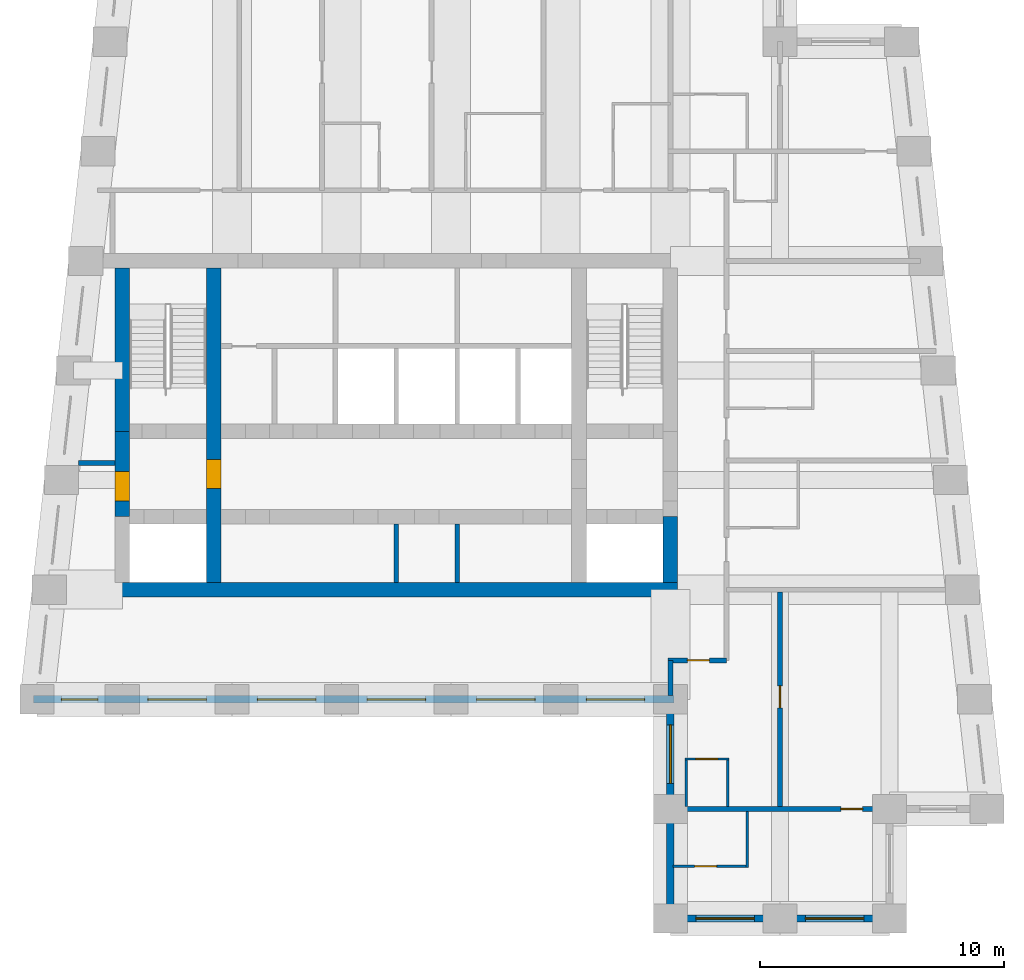
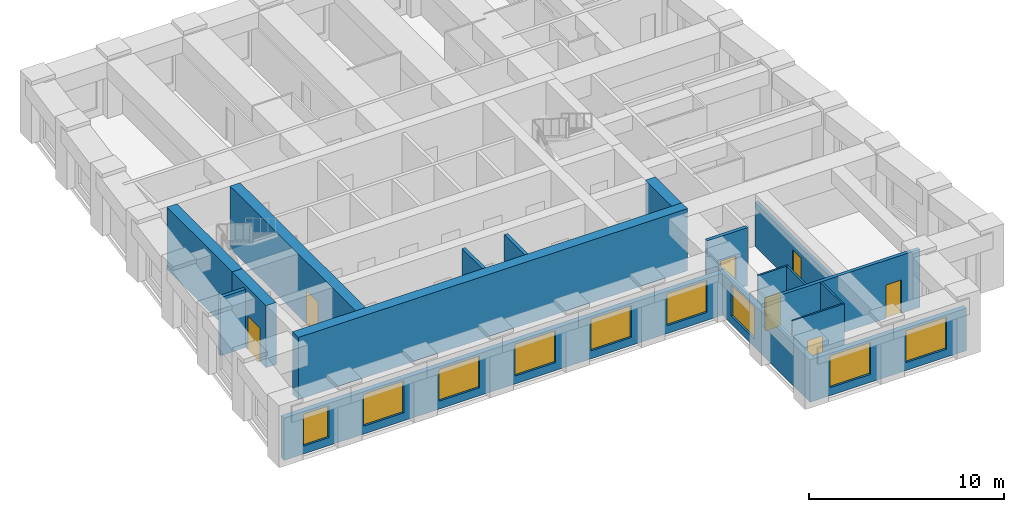
# One storey, part 2 of 7: 20 walls, 9 windows, 7 doors, 16 openings.
"""IFC4 building model written with IfcOpenShell, lengths in metres."""

from ifc_helpers import new_model, si_unit, direction, frame, frame_2d, origin, place, context, subcontext, project, spatial, rectangle, extrude, material, layer, layer_set, type_object, element, fill, save


model = new_model("IFC4")

# Units and contexts
model_context = context("Model", 3, precision=1e-05, world=origin(), true_north=direction((0.0, 1.0)))
body_context = subcontext(model_context, "Body", "Model", "MODEL_VIEW")
ifc_project = project(units=[si_unit("LENGTHUNIT", "METRE"), si_unit("AREAUNIT", "SQUARE_METRE"), si_unit("VOLUMEUNIT", "CUBIC_METRE"), si_unit("PLANEANGLEUNIT", "RADIAN"), si_unit("MASSUNIT", "GRAM", prefix="KILO")], contexts=[model_context])

# Site, building, storey
site_placement = place(None, origin())
site = spatial("IfcSite", under=ifc_project, at=site_placement, CompositionType="ELEMENT")
building_placement = place(site_placement, origin())
building = spatial("IfcBuilding", under=site, at=building_placement, Name="Kilele Tower Hotel", CompositionType="ELEMENT")
storey_placement = place(building_placement, frame((0.0, 0.0, 258.5)))
storey = spatial("IfcBuildingStorey", under=building, at=storey_placement, Name="L66", CompositionType="ELEMENT", Elevation=258.5)

# Walls
ifc_material_1 = material(Name="Moisture-resistant board")
ifc_layer_1 = layer(ifc_material_1, 0.10009765625)
ifc_layer_set_1 = layer_set([ifc_layer_1], Name="Moisture-resistant board")
wall_type_1 = type_object("IfcWallType", Name="Bathroom partition 100", PredefinedType="PLUMBINGWALL", material=ifc_layer_set_1)
wall_1_placement = place(storey_placement, frame((38.35009765625, 4.60009765625, 0.0), z_axis=(0.0, 0.0, 1.0), x_axis=(0.0, 1.0, 0.0)))
element("IfcWall", 1, at=wall_1_placement, inside=storey, type_object=wall_type_1, Name="Bathroom partition 100 L66", PredefinedType="PLUMBINGWALL", context=body_context, shape_type="SweptSolid", body=[
    extrude(rectangle(XDim=2.0, YDim=0.10009765625, at=frame_2d((1.0, 0.0))), origin(), (0.0, 0.0, 1.0), 3.64990234375),
])
wall_2_placement = place(storey_placement, frame((36.64990234375, 4.60009765625, 0.0), z_axis=(0.0, 0.0, 1.0), x_axis=(0.0, 1.0, 0.0)))
element("IfcWall", 2, at=wall_2_placement, inside=storey, type_object=wall_type_1, Name="Bathroom partition 100 L66", PredefinedType="PLUMBINGWALL", context=body_context, shape_type="SweptSolid", body=[
    extrude(rectangle(XDim=2.0, YDim=0.10009765625, at=frame_2d((1.0, 0.0))), origin(), (0.0, 0.0, 1.0), 2.64990234375),
])

# Wall, opening, door
wall_3_placement = place(storey_placement, frame((36.60009765625, 6.550048828125, 0.0), z_axis=(0.0, 0.0, 1.0), x_axis=(1.0, 0.0, 0.0)))
wall_3 = element("IfcWall", 3, at=wall_3_placement, inside=storey, type_object=wall_type_1, Name="Bathroom partition 100 L66", PredefinedType="PLUMBINGWALL", context=body_context, shape_type="SweptSolid", body=[
    extrude(rectangle(XDim=1.7998046875, YDim=0.10009765625, at=frame_2d((0.89990234375, 0.0))), origin(), (0.0, 0.0, 1.0), 3.64990234375),
])
opening_1_placement = place(wall_3_placement, frame((0.449951171875, 0.0, 0.0)))
opening_1 = element("IfcOpeningElement", 4, at=opening_1_placement, cuts=wall_3, Name="Opening D2A", PredefinedType="OPENING", context=body_context, shape_type="SweptSolid", body=[
    extrude(rectangle(XDim=0.89990234375, YDim=2.10009765625, at=frame_2d((0.449951171875, 1.050048828125))), frame((0.0, 0.06005859375, 0.0), z_axis=(0.0, -1.0, 0.0), x_axis=(1.0, 0.0, 0.0)), (0.0, 0.0, 1.0), 0.1201171875),
])
ifc_material_2 = material(Name="Timber door leaf in hardwood frame", Category="wood")
door_type_1 = type_object("IfcDoorType", Name="Bathroom door 900", OperationType="SINGLE_SWING_LEFT", PredefinedType="DOOR", material=ifc_material_2)
door_1_placement = place(opening_1_placement, origin())
door_1 = element("IfcDoor", 5, at=door_1_placement, inside=storey, type_object=door_type_1, Name="Bathroom door 6610P", OperationType="SINGLE_SWING_LEFT", OverallHeight=2.10009765625, OverallWidth=0.89990234375, PredefinedType="DOOR", context=body_context, shape_type="SweptSolid", body=[
    extrude(rectangle(XDim=0.89990234375, YDim=2.10009765625, at=frame_2d((0.449951171875, 1.050048828125))), frame((0.0, 0.02490234375, 0.0), z_axis=(0.0, -1.0, 0.0), x_axis=(1.0, 0.0, 0.0)), (0.0, 0.0, 1.0), 0.050048828125),
])
fill(opening_1, door_1)

# Wall
wall_4_placement = place(storey_placement, frame((39.14990234375, 4.39990234375, 0.0), z_axis=(0.0, 0.0, 1.0), x_axis=(0.0, -1.0, 0.0)))
element("IfcWall", 6, at=wall_4_placement, inside=storey, type_object=wall_type_1, Name="Bathroom partition 100 L66", PredefinedType="PLUMBINGWALL", context=body_context, shape_type="SweptSolid", body=[
    extrude(rectangle(XDim=2.2998046875, YDim=0.10009765625, at=frame_2d((1.14990234375, 0.0))), origin(), (0.0, 0.0, 1.0), 3.64990234375),
])

# Wall, opening, door
wall_5_placement = place(storey_placement, frame((36.10009765625, 2.14990234375, 0.0), z_axis=(0.0, 0.0, 1.0), x_axis=(1.0, 0.0, 0.0)))
wall_5 = element("IfcWall", 7, at=wall_5_placement, inside=storey, type_object=wall_type_1, Name="Bathroom partition 100 L66", PredefinedType="PLUMBINGWALL", context=body_context, shape_type="SweptSolid", body=[
    extrude(rectangle(XDim=3.099853515625, YDim=0.10009765625, at=frame_2d((1.5498046875, 0.0))), origin(), (0.0, 0.0, 1.0), 3.64990234375),
])
opening_2_placement = place(wall_5_placement, frame((1.7998046875, 0.0, 0.0), z_axis=(0.0, 0.0, 1.0), x_axis=(-1.0, 0.0, 0.0)))
opening_2 = element("IfcOpeningElement", 8, at=opening_2_placement, cuts=wall_5, Name="Opening D2A", PredefinedType="OPENING", context=body_context, shape_type="SweptSolid", body=[
    extrude(rectangle(XDim=0.89990234375, YDim=2.10009765625, at=frame_2d((0.449951171875, 1.050048828125))), frame((0.0, 0.06005859375, 0.0), z_axis=(0.0, -1.0, 0.0), x_axis=(1.0, 0.0, 0.0)), (0.0, 0.0, 1.0), 0.1201171875),
])
door_2_placement = place(opening_2_placement, origin())
door_2 = element("IfcDoor", 9, at=door_2_placement, inside=storey, type_object=door_type_1, Name="Bathroom door 6612B", OperationType="SINGLE_SWING_RIGHT", OverallHeight=2.10009765625, OverallWidth=0.89990234375, PredefinedType="DOOR", context=body_context, shape_type="SweptSolid", body=[
    extrude(rectangle(XDim=0.89990234375, YDim=2.10009765625, at=frame_2d((0.449951171875, 1.050048828125))), frame((0.0, 0.02490234375, 0.0), z_axis=(0.0, -1.0, 0.0), x_axis=(1.0, 0.0, 0.0)), (0.0, 0.0, 1.0), 0.050048828125),
])
fill(opening_2, door_2)

# Wall
ifc_material_3 = material(Name="Concrete C60/75", Category="concrete")
ifc_layer_2 = layer(ifc_material_3, 0.60009765625)
ifc_layer_set_2 = layer_set([ifc_layer_2], Name="Concrete C60/75")
wall_type_2 = type_object("IfcWallType", Name="Core wall 600 C60/75", PredefinedType="SHEAR", material=ifc_layer_set_2)
wall_6_placement = place(storey_placement, frame((13.199951171875, 13.5, 0.0), z_axis=(0.0, 0.0, 1.0), x_axis=(1.0, 0.0, 0.0)))
element("IfcWall", 10, at=wall_6_placement, inside=storey, type_object=wall_type_2, Name="Core wall S L66", PredefinedType="SHEAR", context=body_context, shape_type="SweptSolid", body=[
    extrude(rectangle(XDim=23.10009765625, YDim=0.60009765625, at=frame_2d((11.550048828125, 0.0))), origin(), (0.0, 0.0, 1.0), 3.89990234375),
])

# Wall, opening, door
wall_7_placement = place(storey_placement, frame((17.25, 13.800048828125, 0.0), z_axis=(0.0, 0.0, 1.0), x_axis=(0.0, 1.0, 0.0)))
wall_7 = element("IfcWall", 11, at=wall_7_placement, inside=storey, type_object=wall_type_2, Name="Core wall IW L66", PredefinedType="SHEAR", context=body_context, shape_type="SweptSolid", body=[
    extrude(rectangle(XDim=12.89990234375, YDim=0.60009765625, at=frame_2d((6.449951171875, 0.0))), origin(), (0.0, 0.0, 1.0), 3.89990234375),
])
opening_3_placement = place(wall_7_placement, frame((3.85009765625, 0.0, 0.0)))
opening_3 = element("IfcOpeningElement", 12, at=opening_3_placement, cuts=wall_7, Name="Opening D4", PredefinedType="OPENING", context=body_context, shape_type="SweptSolid", body=[
    extrude(rectangle(XDim=1.199951171875, YDim=2.10009765625, at=frame_2d((0.60009765625, 1.050048828125))), frame((0.0, 0.31005859375, 0.0), z_axis=(0.0, -1.0, 0.0), x_axis=(1.0, 0.0, 0.0)), (0.0, 0.0, 1.0), 0.6201171875),
])
ifc_material_4 = material(Name="Timber door leaf in hardwood frame", Category="wood")
door_type_2 = type_object("IfcDoorType", Name="Firefighting lobby door 1200", OperationType="SINGLE_SWING_LEFT", PredefinedType="DOOR", material=ifc_material_4)
door_3_placement = place(opening_3_placement, origin())
door_3 = element("IfcDoor", 13, at=door_3_placement, inside=storey, type_object=door_type_2, Name="Lobby door L66", OperationType="SINGLE_SWING_LEFT", OverallHeight=2.10009765625, OverallWidth=1.199951171875, PredefinedType="DOOR", context=body_context, shape_type="SweptSolid", body=[
    extrude(rectangle(XDim=1.199951171875, YDim=2.10009765625, at=frame_2d((0.60009765625, 1.050048828125))), frame((0.0, 0.2998046875, 0.0), z_axis=(0.0, -1.0, 0.0), x_axis=(1.0, 0.0, 0.0)), (0.0, 0.0, 1.0), 0.599609375),
])
fill(opening_3, door_3)

# Wall
wall_8_placement = place(storey_placement, frame((13.5, 26.699951171875, 0.0), z_axis=(0.0, 0.0, 1.0), x_axis=(0.0, -1.0, 0.0)))
element("IfcWall", 14, at=wall_8_placement, inside=storey, type_object=wall_type_2, Name="Core wall W1 L66", PredefinedType="SHEAR", context=body_context, shape_type="SweptSolid", body=[
    extrude(rectangle(XDim=6.699951171875, YDim=0.60009765625, at=frame_2d((3.35009765625, 0.0))), origin(), (0.0, 0.0, 1.0), 3.89990234375),
])

# Wall, opening, door
wall_9_placement = place(storey_placement, frame((13.5, 20.0, 0.0), z_axis=(0.0, 0.0, 1.0), x_axis=(0.0, -1.0, 0.0)))
wall_9 = element("IfcWall", 15, at=wall_9_placement, inside=storey, type_object=wall_type_2, Name="Core wall W2 L66", PredefinedType="SHEAR", context=body_context, shape_type="SweptSolid", body=[
    extrude(rectangle(XDim=3.5, YDim=0.60009765625, at=frame_2d((1.75, 0.0))), origin(), (0.0, 0.0, 1.0), 3.89990234375),
])
opening_4_placement = place(wall_9_placement, frame((1.64990234375, 0.0, 0.0)))
opening_4 = element("IfcOpeningElement", 16, at=opening_4_placement, cuts=wall_9, Name="Opening D4", PredefinedType="OPENING", context=body_context, shape_type="SweptSolid", body=[
    extrude(rectangle(XDim=1.199951171875, YDim=2.10009765625, at=frame_2d((0.60009765625, 1.050048828125))), frame((0.0, 0.31005859375, 0.0), z_axis=(0.0, -1.0, 0.0), x_axis=(1.0, 0.0, 0.0)), (0.0, 0.0, 1.0), 0.6201171875),
])
door_4_placement = place(opening_4_placement, origin())
door_4 = element("IfcDoor", 17, at=door_4_placement, inside=storey, type_object=door_type_2, Name="Lobby door L66", OperationType="SINGLE_SWING_RIGHT", OverallHeight=2.10009765625, OverallWidth=1.199951171875, PredefinedType="DOOR", context=body_context, shape_type="SweptSolid", body=[
    extrude(rectangle(XDim=1.199951171875, YDim=2.10009765625, at=frame_2d((0.60009765625, 1.050048828125))), frame((0.0, 0.2998046875, 0.0), z_axis=(0.0, -1.0, 0.0), x_axis=(1.0, 0.0, 0.0)), (0.0, 0.0, 1.0), 0.599609375),
])
fill(opening_4, door_4)

# Wall
wall_10_placement = place(storey_placement, frame((36.0, 13.800048828125, 0.0), z_axis=(0.0, 0.0, 1.0), x_axis=(0.0, 1.0, 0.0)))
element("IfcWall", 18, at=wall_10_placement, inside=storey, type_object=wall_type_2, Name="Core wall E1 L66", PredefinedType="SHEAR", context=body_context, shape_type="SweptSolid", body=[
    extrude(rectangle(XDim=2.699951171875, YDim=0.60009765625, at=frame_2d((1.35009765625, 0.0))), origin(), (0.0, 0.0, 1.0), 3.89990234375),
])

# Wall, opening, door
ifc_material_5 = material(Name="Blockwork, plastered both sides", Category="masonry")
ifc_layer_3 = layer(ifc_material_5, 0.199951171875)
ifc_layer_set_3 = layer_set([ifc_layer_3], Name="Blockwork, plastered both sides")
wall_type_3 = type_object("IfcWallType", Name="Corridor wall 200", PredefinedType="PARTITIONING", material=ifc_layer_set_3)
wall_11_placement = place(storey_placement, frame((35.89990234375, 10.60009765625, 0.0), z_axis=(0.0, 0.0, 1.0), x_axis=(1.0, 0.0, 0.0)))
wall_11 = element("IfcWall", 19, at=wall_11_placement, inside=storey, type_object=wall_type_3, Name="Corridor wall 200 L66", PredefinedType="PARTITIONING", context=body_context, shape_type="SweptSolid", body=[
    extrude(rectangle(XDim=2.400146484375, YDim=0.199951171875, at=frame_2d((1.2001953125, 0.0))), origin(), (0.0, 0.0, 1.0), 3.64990234375),
])
opening_5_placement = place(wall_11_placement, frame((1.699951171875, 0.0, 0.0), z_axis=(0.0, 0.0, 1.0), x_axis=(-1.0, 0.0, 0.0)))
opening_5 = element("IfcOpeningElement", 20, at=opening_5_placement, cuts=wall_11, Name="Opening D1", PredefinedType="OPENING", context=body_context, shape_type="SweptSolid", body=[
    extrude(rectangle(XDim=0.89990234375, YDim=2.10009765625, at=frame_2d((0.449951171875, 1.050048828125))), frame((0.0, 0.10986328125, 0.0), z_axis=(0.0, -1.0, 0.0), x_axis=(1.0, 0.0, 0.0)), (0.0, 0.0, 1.0), 0.219970703125),
])
ifc_material_6 = material(Name="Timber door leaf in hardwood frame", Category="wood")
door_type_3 = type_object("IfcDoorType", Name="Guest room entrance door 900", OperationType="SINGLE_SWING_LEFT", PredefinedType="DOOR", material=ifc_material_6)
door_5_placement = place(opening_5_placement, origin())
door_5 = element("IfcDoor", 21, at=door_5_placement, inside=storey, type_object=door_type_3, Name="Room entrance 6610", OperationType="SINGLE_SWING_RIGHT", OverallHeight=2.10009765625, OverallWidth=0.89990234375, PredefinedType="DOOR", context=body_context, shape_type="SweptSolid", body=[
    extrude(rectangle(XDim=0.89990234375, YDim=2.10009765625, at=frame_2d((0.449951171875, 1.050048828125))), frame((0.0, 0.02490234375, 0.0), z_axis=(0.0, -1.0, 0.0), x_axis=(1.0, 0.0, 0.0)), (0.0, 0.0, 1.0), 0.050048828125),
])
fill(opening_5, door_5)

# Wall
ifc_material_7 = material(Name="Blockwork, plastered both sides", Category="masonry")
ifc_layer_4 = layer(ifc_material_7, 0.199951171875)
ifc_layer_set_4 = layer_set([ifc_layer_4], Name="Blockwork, plastered both sides")
wall_type_4 = type_object("IfcWallType", Name="Partition wall 200", PredefinedType="PARTITIONING", material=ifc_layer_set_4)
wall_12_placement = place(storey_placement, frame((13.199951171875, 18.699951171875, 0.0), z_axis=(0.0, 0.0, 1.0), x_axis=(-1.0, 0.0, 0.0)))
element("IfcWall", 22, at=wall_12_placement, inside=storey, type_object=wall_type_4, Name="Partition wall 200 L66", PredefinedType="PARTITIONING", context=body_context, shape_type="SweptSolid", body=[
    extrude(rectangle(XDim=1.5, YDim=0.199951171875, at=frame_2d((0.75, 0.0))), origin(), (0.0, 0.0, 1.0), 3.64990234375),
])

# Wall, opening, door
wall_13_placement = place(storey_placement, frame((40.5, 4.60009765625, 0.0), z_axis=(0.0, 0.0, 1.0), x_axis=(0.0, 1.0, 0.0)))
wall_13 = element("IfcWall", 23, at=wall_13_placement, inside=storey, type_object=wall_type_4, Name="Partition wall 200 L66", PredefinedType="PARTITIONING", context=body_context, shape_type="SweptSolid", body=[
    extrude(rectangle(XDim=8.7998046875, YDim=0.199951171875, at=frame_2d((4.39990234375, 0.0))), origin(), (0.0, 0.0, 1.0), 2.75),
])
opening_6_placement = place(wall_13_placement, frame((4.050048828125, 0.0, 0.0)))
opening_6 = element("IfcOpeningElement", 24, at=opening_6_placement, cuts=wall_13, Name="Opening D3", PredefinedType="OPENING", context=body_context, shape_type="SweptSolid", body=[
    extrude(rectangle(XDim=0.89990234375, YDim=2.10009765625, at=frame_2d((0.449951171875, 1.050048828125))), frame((0.0, 0.10986328125, 0.0), z_axis=(0.0, -1.0, 0.0), x_axis=(1.0, 0.0, 0.0)), (0.0, 0.0, 1.0), 0.219970703125),
])
ifc_material_8 = material(Name="Timber door leaf in hardwood frame", Category="wood")
door_type_4 = type_object("IfcDoorType", Name="Suite internal door 900", OperationType="SINGLE_SWING_LEFT", PredefinedType="DOOR", material=ifc_material_8)
door_6_placement = place(opening_6_placement, origin())
door_6 = element("IfcDoor", 25, at=door_6_placement, inside=storey, type_object=door_type_4, Name="Suite door 6611", OperationType="SINGLE_SWING_RIGHT", OverallHeight=2.10009765625, OverallWidth=0.89990234375, PredefinedType="DOOR", context=body_context, shape_type="SweptSolid", body=[
    extrude(rectangle(XDim=0.89990234375, YDim=2.10009765625, at=frame_2d((0.449951171875, 1.050048828125))), frame((0.0, 0.02490234375, 0.0), z_axis=(0.0, -1.0, 0.0), x_axis=(1.0, 0.0, 0.0)), (0.0, 0.0, 1.0), 0.050048828125),
])
fill(opening_6, door_6)

# Wall
ifc_material_9 = material(Name="Blockwork, plastered both sides", Category="masonry")
ifc_layer_5 = layer(ifc_material_9, 0.199951171875)
ifc_layer_set_5 = layer_set([ifc_layer_5], Name="Blockwork, plastered both sides")
wall_type_5 = type_object("IfcWallType", Name="Party wall 200", PredefinedType="PARTITIONING", material=ifc_layer_set_5)
wall_14_placement = place(storey_placement, frame((36.0, 10.60009765625, 0.0), z_axis=(0.0, 0.0, 1.0), x_axis=(0.0, -1.0, 0.0)))
element("IfcWall", 26, at=wall_14_placement, inside=storey, type_object=wall_type_5, Name="Party wall 200 L66", PredefinedType="PARTITIONING", context=body_context, shape_type="SweptSolid", body=[
    extrude(rectangle(XDim=1.4501953125, YDim=0.199951171875, at=frame_2d((0.72509765625, 0.0))), origin(), (0.0, 0.0, 1.0), 2.64990234375),
])

# Wall, opening, door
wall_15_placement = place(storey_placement, frame((35.89990234375, 4.5, 0.0), z_axis=(0.0, 0.0, 1.0), x_axis=(1.0, 0.0, 0.0)))
wall_15 = element("IfcWall", 27, at=wall_15_placement, inside=storey, type_object=wall_type_5, Name="Party wall 200 L66", PredefinedType="PARTITIONING", context=body_context, shape_type="SweptSolid", body=[
    extrude(rectangle(XDim=9.10009765625, YDim=0.199951171875, at=frame_2d((4.550048828125, 0.0))), origin(), (0.0, 0.0, 1.0), 3.64990234375),
])
opening_7_placement = place(wall_15_placement, frame((7.10009765625, 0.0, 0.0)))
opening_7 = element("IfcOpeningElement", 28, at=opening_7_placement, cuts=wall_15, Name="Opening D3", PredefinedType="OPENING", context=body_context, shape_type="SweptSolid", body=[
    extrude(rectangle(XDim=0.89990234375, YDim=2.10009765625, at=frame_2d((0.449951171875, 1.050048828125))), frame((0.0, 0.10986328125, 0.0), z_axis=(0.0, -1.0, 0.0), x_axis=(1.0, 0.0, 0.0)), (0.0, 0.0, 1.0), 0.219970703125),
])
door_7_placement = place(opening_7_placement, origin())
door_7 = element("IfcDoor", 29, at=door_7_placement, inside=storey, type_object=door_type_4, Name="Suite door 6612", OperationType="SINGLE_SWING_RIGHT", OverallHeight=2.10009765625, OverallWidth=0.89990234375, PredefinedType="DOOR", context=body_context, shape_type="SweptSolid", body=[
    extrude(rectangle(XDim=0.89990234375, YDim=2.10009765625, at=frame_2d((0.449951171875, 1.050048828125))), frame((0.0, 0.02490234375, 0.0), z_axis=(0.0, -1.0, 0.0), x_axis=(1.0, 0.0, 0.0)), (0.0, 0.0, 1.0), 0.050048828125),
])
fill(opening_7, door_7)

# Wall, openings, windows
ifc_material_10 = material(Name="Concrete C40/50 precast", Category="concrete")
ifc_layer_6 = layer(ifc_material_10, 0.260009765625, Name="Precast backing", Category="LoadBearing")
ifc_material_11 = material(Name="Reconstituted stone finish", Category="masonry")
ifc_layer_7 = layer(ifc_material_11, 0.0400390625, Name="Face mix", Category="Finish")
ifc_layer_set_6 = layer_set([ifc_layer_6, ifc_layer_7], Name="Precast concrete C40/50, reconstituted stone finish")
wall_type_6 = type_object("IfcWallType", Name="Precast stone facade wall 300", PredefinedType="STANDARD", material=ifc_layer_set_6)
wall_16_placement = place(storey_placement, frame((9.85009765625, 9.0, 0.0), z_axis=(0.0, 0.0, 1.0), x_axis=(1.0, 0.0, 0.0)))
wall_16 = element("IfcWall", 30, at=wall_16_placement, inside=storey, type_object=wall_type_6, Name="Facade wall L66 edge 1", PredefinedType="STANDARD", context=body_context, shape_type="SweptSolid", body=[
    extrude(rectangle(XDim=26.2998046875, YDim=0.300048828125, at=frame_2d((13.14990234375, 0.0))), origin(), (0.0, 0.0, 1.0), 2.64990234375),
])
opening_8_placement = place(wall_16_placement, frame((1.14990234375, 0.0, 0.5)))
opening_8 = element("IfcOpeningElement", 31, at=opening_8_placement, cuts=wall_16, Name="Opening W4", PredefinedType="OPENING", context=body_context, shape_type="SweptSolid", body=[
    extrude(rectangle(XDim=1.5, YDim=2.0, at=frame_2d((0.75, 1.0))), frame((0.0, 0.159912109375, 0.0), z_axis=(0.0, -1.0, 0.0), x_axis=(1.0, 0.0, 0.0)), (0.0, 0.0, 1.0), 0.320068359375),
])
opening_9_placement = place(wall_16_placement, frame((4.699951171875, 0.0, 0.5)))
opening_9 = element("IfcOpeningElement", 32, at=opening_9_placement, cuts=wall_16, Name="Opening W4", PredefinedType="OPENING", context=body_context, shape_type="SweptSolid", body=[
    extrude(rectangle(XDim=2.39990234375, YDim=2.0, at=frame_2d((1.199951171875, 1.0))), frame((0.0, 0.159912109375, 0.0), z_axis=(0.0, -1.0, 0.0), x_axis=(1.0, 0.0, 0.0)), (0.0, 0.0, 1.0), 0.320068359375),
])
opening_10_placement = place(wall_16_placement, frame((9.199951171875, 0.0, 0.5)))
opening_10 = element("IfcOpeningElement", 33, at=opening_10_placement, cuts=wall_16, Name="Opening W4", PredefinedType="OPENING", context=body_context, shape_type="SweptSolid", body=[
    extrude(rectangle(XDim=2.39990234375, YDim=2.0, at=frame_2d((1.199951171875, 1.0))), frame((0.0, 0.159912109375, 0.0), z_axis=(0.0, -1.0, 0.0), x_axis=(1.0, 0.0, 0.0)), (0.0, 0.0, 1.0), 0.320068359375),
])
opening_11_placement = place(wall_16_placement, frame((13.699951171875, 0.0, 0.5)))
opening_11 = element("IfcOpeningElement", 34, at=opening_11_placement, cuts=wall_16, Name="Opening W4", PredefinedType="OPENING", context=body_context, shape_type="SweptSolid", body=[
    extrude(rectangle(XDim=2.39990234375, YDim=2.0, at=frame_2d((1.199951171875, 1.0))), frame((0.0, 0.159912109375, 0.0), z_axis=(0.0, -1.0, 0.0), x_axis=(1.0, 0.0, 0.0)), (0.0, 0.0, 1.0), 0.320068359375),
])
opening_12_placement = place(wall_16_placement, frame((18.199951171875, 0.0, 0.5)))
opening_12 = element("IfcOpeningElement", 35, at=opening_12_placement, cuts=wall_16, Name="Opening W4", PredefinedType="OPENING", context=body_context, shape_type="SweptSolid", body=[
    extrude(rectangle(XDim=2.39990234375, YDim=2.0, at=frame_2d((1.199951171875, 1.0))), frame((0.0, 0.159912109375, 0.0), z_axis=(0.0, -1.0, 0.0), x_axis=(1.0, 0.0, 0.0)), (0.0, 0.0, 1.0), 0.320068359375),
])
opening_13_placement = place(wall_16_placement, frame((22.699951171875, 0.0, 0.5)))
opening_13 = element("IfcOpeningElement", 36, at=opening_13_placement, cuts=wall_16, Name="Opening W4", PredefinedType="OPENING", context=body_context, shape_type="SweptSolid", body=[
    extrude(rectangle(XDim=2.39990234375, YDim=2.0, at=frame_2d((1.199951171875, 1.0))), frame((0.0, 0.159912109375, 0.0), z_axis=(0.0, -1.0, 0.0), x_axis=(1.0, 0.0, 0.0)), (0.0, 0.0, 1.0), 0.320068359375),
])
ifc_material_12 = material(Name="Aluminium frame, clear double glazing", Category="aluminium")
window_type_1 = type_object("IfcWindowType", Name="Window W4 1500 x 2000", PartitioningType="SINGLE_PANEL", PredefinedType="WINDOW", material=ifc_material_12)
window_1_placement = place(opening_8_placement, origin())
window_1 = element("IfcWindow", 37, at=window_1_placement, inside=storey, type_object=window_type_1, Name="Window L66", OverallHeight=2.0, OverallWidth=1.5, PartitioningType="SINGLE_PANEL", PredefinedType="WINDOW", context=body_context, shape_type="SweptSolid", body=[
    extrude(rectangle(XDim=1.5, YDim=2.0, at=frame_2d((0.75, 1.0))), frame((0.0, 0.030029296875, 0.0), z_axis=(0.0, -1.0, 0.0), x_axis=(1.0, 0.0, 0.0)), (0.0, 0.0, 1.0), 0.06005859375),
])
fill(opening_8, window_1)
ifc_material_13 = material(Name="Aluminium frame, clear double glazing", Category="aluminium")
window_type_2 = type_object("IfcWindowType", Name="Window W4 2400 x 2000", PartitioningType="SINGLE_PANEL", PredefinedType="WINDOW", material=ifc_material_13)
window_2_placement = place(opening_9_placement, origin())
window_2 = element("IfcWindow", 38, at=window_2_placement, inside=storey, type_object=window_type_2, Name="Window L66", OverallHeight=2.0, OverallWidth=2.39990234375, PartitioningType="SINGLE_PANEL", PredefinedType="WINDOW", context=body_context, shape_type="SweptSolid", body=[
    extrude(rectangle(XDim=2.39990234375, YDim=2.0, at=frame_2d((1.199951171875, 1.0))), frame((0.0, 0.030029296875, 0.0), z_axis=(0.0, -1.0, 0.0), x_axis=(1.0, 0.0, 0.0)), (0.0, 0.0, 1.0), 0.06005859375),
])
fill(opening_9, window_2)
window_3_placement = place(opening_10_placement, origin())
window_3 = element("IfcWindow", 39, at=window_3_placement, inside=storey, type_object=window_type_2, Name="Window L66", OverallHeight=2.0, OverallWidth=2.39990234375, PartitioningType="SINGLE_PANEL", PredefinedType="WINDOW", context=body_context, shape_type="SweptSolid", body=[
    extrude(rectangle(XDim=2.39990234375, YDim=2.0, at=frame_2d((1.199951171875, 1.0))), frame((0.0, 0.030029296875, 0.0), z_axis=(0.0, -1.0, 0.0), x_axis=(1.0, 0.0, 0.0)), (0.0, 0.0, 1.0), 0.06005859375),
])
fill(opening_10, window_3)
window_4_placement = place(opening_11_placement, origin())
window_4 = element("IfcWindow", 40, at=window_4_placement, inside=storey, type_object=window_type_2, Name="Window L66", OverallHeight=2.0, OverallWidth=2.39990234375, PartitioningType="SINGLE_PANEL", PredefinedType="WINDOW", context=body_context, shape_type="SweptSolid", body=[
    extrude(rectangle(XDim=2.39990234375, YDim=2.0, at=frame_2d((1.199951171875, 1.0))), frame((0.0, 0.030029296875, 0.0), z_axis=(0.0, -1.0, 0.0), x_axis=(1.0, 0.0, 0.0)), (0.0, 0.0, 1.0), 0.06005859375),
])
fill(opening_11, window_4)
window_5_placement = place(opening_12_placement, origin())
window_5 = element("IfcWindow", 41, at=window_5_placement, inside=storey, type_object=window_type_2, Name="Window L66", OverallHeight=2.0, OverallWidth=2.39990234375, PartitioningType="SINGLE_PANEL", PredefinedType="WINDOW", context=body_context, shape_type="SweptSolid", body=[
    extrude(rectangle(XDim=2.39990234375, YDim=2.0, at=frame_2d((1.199951171875, 1.0))), frame((0.0, 0.030029296875, 0.0), z_axis=(0.0, -1.0, 0.0), x_axis=(1.0, 0.0, 0.0)), (0.0, 0.0, 1.0), 0.06005859375),
])
fill(opening_12, window_5)
window_6_placement = place(opening_13_placement, origin())
window_6 = element("IfcWindow", 42, at=window_6_placement, inside=storey, type_object=window_type_2, Name="Window L66", OverallHeight=2.0, OverallWidth=2.39990234375, PartitioningType="SINGLE_PANEL", PredefinedType="WINDOW", context=body_context, shape_type="SweptSolid", body=[
    extrude(rectangle(XDim=2.39990234375, YDim=2.0, at=frame_2d((1.199951171875, 1.0))), frame((0.0, 0.030029296875, 0.0), z_axis=(0.0, -1.0, 0.0), x_axis=(1.0, 0.0, 0.0)), (0.0, 0.0, 1.0), 0.06005859375),
])
fill(opening_13, window_6)

# Wall, opening, window
wall_17_placement = place(storey_placement, frame((36.0, 9.14990234375, 0.0), z_axis=(0.0, 0.0, 1.0), x_axis=(0.0, -1.0, 0.0)))
wall_17 = element("IfcWall", 43, at=wall_17_placement, inside=storey, type_object=wall_type_6, Name="Facade wall L66 edge 2", PredefinedType="STANDARD", context=body_context, shape_type="SweptSolid", body=[
    extrude(rectangle(XDim=9.2998046875, YDim=0.300048828125, at=frame_2d((4.64990234375, 0.0))), origin(), (0.0, 0.0, 1.0), 2.64990234375),
])
opening_14_placement = place(wall_17_placement, frame((1.199951171875, 0.0, 0.5)))
opening_14 = element("IfcOpeningElement", 44, at=opening_14_placement, cuts=wall_17, Name="Opening W4", PredefinedType="OPENING", context=body_context, shape_type="SweptSolid", body=[
    extrude(rectangle(XDim=2.39990234375, YDim=2.0, at=frame_2d((1.199951171875, 1.0))), frame((0.0, 0.159912109375, 0.0), z_axis=(0.0, -1.0, 0.0), x_axis=(1.0, 0.0, 0.0)), (0.0, 0.0, 1.0), 0.320068359375),
])
window_7_placement = place(opening_14_placement, origin())
window_7 = element("IfcWindow", 45, at=window_7_placement, inside=storey, type_object=window_type_2, Name="Window L66", OverallHeight=2.0, OverallWidth=2.39990234375, PartitioningType="SINGLE_PANEL", PredefinedType="WINDOW", context=body_context, shape_type="SweptSolid", body=[
    extrude(rectangle(XDim=2.39990234375, YDim=2.0, at=frame_2d((1.199951171875, 1.0))), frame((0.0, 0.030029296875, 0.0), z_axis=(0.0, -1.0, 0.0), x_axis=(1.0, 0.0, 0.0)), (0.0, 0.0, 1.0), 0.06005859375),
])
fill(opening_14, window_7)

# Wall, openings, windows
wall_18_placement = place(storey_placement, frame((35.85009765625, 0.0, 0.0), z_axis=(0.0, 0.0, 1.0), x_axis=(1.0, 0.0, 0.0)))
wall_18 = element("IfcWall", 46, at=wall_18_placement, inside=storey, type_object=wall_type_6, Name="Facade wall L66 edge 3", PredefinedType="STANDARD", context=body_context, shape_type="SweptSolid", body=[
    extrude(rectangle(XDim=9.2998046875, YDim=0.300048828125, at=frame_2d((4.64990234375, 0.0))), origin(), (0.0, 0.0, 1.0), 2.64990234375),
])
opening_15_placement = place(wall_18_placement, frame((1.199951171875, 0.0, 0.5)))
opening_15 = element("IfcOpeningElement", 47, at=opening_15_placement, cuts=wall_18, Name="Opening W4", PredefinedType="OPENING", context=body_context, shape_type="SweptSolid", body=[
    extrude(rectangle(XDim=2.39990234375, YDim=2.0, at=frame_2d((1.199951171875, 1.0))), frame((0.0, 0.159912109375, 0.0), z_axis=(0.0, -1.0, 0.0), x_axis=(1.0, 0.0, 0.0)), (0.0, 0.0, 1.0), 0.320068359375),
])
opening_16_placement = place(wall_18_placement, frame((5.699951171875, 0.0, 0.5)))
opening_16 = element("IfcOpeningElement", 48, at=opening_16_placement, cuts=wall_18, Name="Opening W4", PredefinedType="OPENING", context=body_context, shape_type="SweptSolid", body=[
    extrude(rectangle(XDim=2.39990234375, YDim=2.0, at=frame_2d((1.199951171875, 1.0))), frame((0.0, 0.159912109375, 0.0), z_axis=(0.0, -1.0, 0.0), x_axis=(1.0, 0.0, 0.0)), (0.0, 0.0, 1.0), 0.320068359375),
])
window_8_placement = place(opening_15_placement, origin())
window_8 = element("IfcWindow", 49, at=window_8_placement, inside=storey, type_object=window_type_2, Name="Window L66", OverallHeight=2.0, OverallWidth=2.39990234375, PartitioningType="SINGLE_PANEL", PredefinedType="WINDOW", context=body_context, shape_type="SweptSolid", body=[
    extrude(rectangle(XDim=2.39990234375, YDim=2.0, at=frame_2d((1.199951171875, 1.0))), frame((0.0, 0.030029296875, 0.0), z_axis=(0.0, -1.0, 0.0), x_axis=(1.0, 0.0, 0.0)), (0.0, 0.0, 1.0), 0.06005859375),
])
fill(opening_15, window_8)
window_9_placement = place(opening_16_placement, origin())
window_9 = element("IfcWindow", 50, at=window_9_placement, inside=storey, type_object=window_type_2, Name="Window L66", OverallHeight=2.0, OverallWidth=2.39990234375, PartitioningType="SINGLE_PANEL", PredefinedType="WINDOW", context=body_context, shape_type="SweptSolid", body=[
    extrude(rectangle(XDim=2.39990234375, YDim=2.0, at=frame_2d((1.199951171875, 1.0))), frame((0.0, 0.030029296875, 0.0), z_axis=(0.0, -1.0, 0.0), x_axis=(1.0, 0.0, 0.0)), (0.0, 0.0, 1.0), 0.06005859375),
])
fill(opening_16, window_9)

# Walls
ifc_material_14 = material(Name="Blockwork, fire-rated", Category="masonry")
ifc_layer_8 = layer(ifc_material_14, 0.199951171875)
ifc_layer_set_7 = layer_set([ifc_layer_8], Name="Blockwork, fire-rated")
wall_type_7 = type_object("IfcWallType", Name="Shaft wall 200", PredefinedType="PARTITIONING", material=ifc_layer_set_7)
for number, where, z_axis, x_axis, name in (
    (51, (24.75, 13.800048828125, 0.0), (0.0, 0.0, 1.0), (0.0, 1.0, 0.0), "Shaft wall 200 L66"),
    (52, (27.25, 13.800048828125, 0.0), (0.0, 0.0, 1.0), (0.0, 1.0, 0.0), "Shaft wall 200 L66"),
):
    element("IfcWall", number, at=place(storey_placement, frame(where, z_axis=z_axis, x_axis=x_axis)), inside=storey, type_object=wall_type_7, Name=name, PredefinedType="PARTITIONING", context=body_context, shape_type="SweptSolid", body=[
        extrude(rectangle(XDim=2.39990234375, YDim=0.199951171875, at=frame_2d((1.199951171875, 0.0))), origin(), (0.0, 0.0, 1.0), 3.64990234375),
    ])

save(model, "model.ifc")
